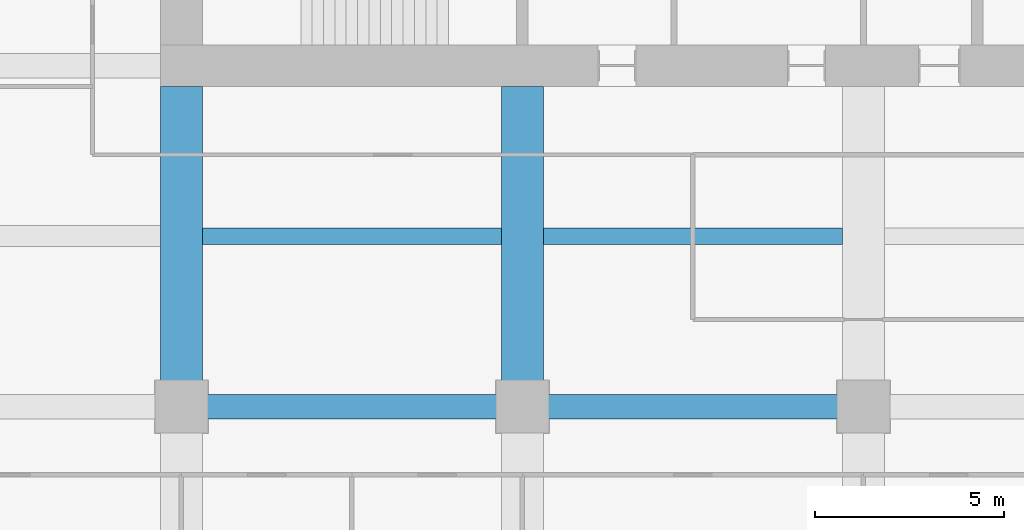
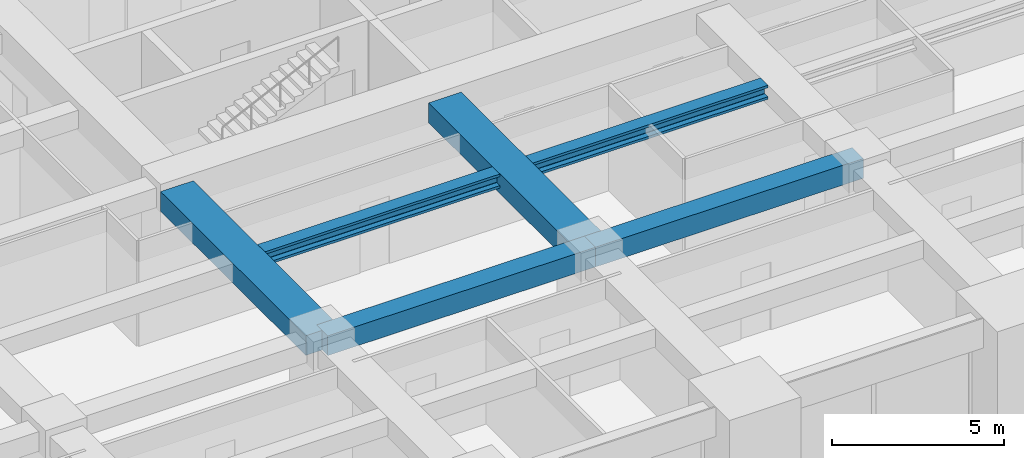
# One storey, part 8 of 34: 6 beams.
"""IFC4 building model written with IfcOpenShell, lengths in metres."""

from ifc_helpers import new_model, si_unit, direction, frame, origin, origin_2d, place, context, subcontext, project, spatial, rectangle, i_section, extrude, material, material_profile, profile_set, type_object, element, save


model = new_model("IFC4")

# Units and contexts
model_context = context("Model", 3, precision=1e-05, world=origin(), true_north=direction((0.0, 1.0)))
body_context = subcontext(model_context, "Body", "Model", "MODEL_VIEW")
ifc_project = project(units=[si_unit("LENGTHUNIT", "METRE"), si_unit("AREAUNIT", "SQUARE_METRE"), si_unit("VOLUMEUNIT", "CUBIC_METRE"), si_unit("PLANEANGLEUNIT", "RADIAN"), si_unit("MASSUNIT", "GRAM", prefix="KILO")], contexts=[model_context])

# Site, building, storey
site_placement = place(None, origin())
site = spatial("IfcSite", under=ifc_project, at=site_placement, CompositionType="ELEMENT")
building_placement = place(site_placement, origin())
building = spatial("IfcBuilding", under=site, at=building_placement, Name="Zorevar Civic Tower", CompositionType="ELEMENT")
storey_placement = place(building_placement, frame((0.0, 0.0, 214.199951171875)))
storey = spatial("IfcBuildingStorey", under=building, at=storey_placement, Name="L52", CompositionType="ELEMENT", Elevation=214.199951171875)

# Beams
ifc_material_1 = material(Name="Concrete C50/60", Category="concrete")
ifc_material_profile_1 = material_profile(ifc_material_1, rectangle(XDim=1.10009765625, YDim=0.699951171875, at=origin_2d()), Name="RC 1100x700")
ifc_profile_set_1 = profile_set([ifc_material_profile_1], Name="Concrete C50/60")
beam_type_1 = type_object("IfcBeamType", Name="Beam RC 1100x700", PredefinedType="BEAM", material=ifc_profile_set_1)
for number, where, z_axis, x_axis, name in (
    (1, (18.0, 9.0, 3.400146484375), (0.0, 1.0, 0.0), (-1.0, 0.0, 0.0), "Girder L53"),
    (2, (27.0, 9.0, 3.400146484375), (0.0, 1.0, 0.0), (-1.0, 0.0, 0.0), "Girder L53"),
):
    element("IfcBeam", number, at=place(storey_placement, frame(where, z_axis=z_axis, x_axis=x_axis)), inside=storey, type_object=beam_type_1, Name=name, PredefinedType="BEAM", context=body_context, shape_type="SweptSolid", body=[
        extrude(rectangle(XDim=1.10009765625, YDim=0.699951171875, at=origin_2d()), origin(), (0.0, 0.0, 1.0), 8.449951171875),
    ])
ifc_material_2 = material(Name="Concrete C50/60", Category="concrete")
ifc_material_profile_2 = material_profile(ifc_material_2, rectangle(XDim=0.64990234375, YDim=0.699951171875, at=origin_2d()), Name="RC 650x700")
ifc_profile_set_2 = profile_set([ifc_material_profile_2], Name="Concrete C50/60")
beam_type_2 = type_object("IfcBeamType", Name="Beam RC 650x700", PredefinedType="BEAM", material=ifc_profile_set_2)
for number, where, z_axis, x_axis, name in (
    (3, (18.0, 9.0, 3.400146484375), (1.0, 0.0, 0.0), (0.0, 1.0, 0.0), "Girder L53"),
    (4, (27.0, 9.0, 3.400146484375), (1.0, 0.0, 0.0), (0.0, 1.0, 0.0), "Girder L53"),
):
    element("IfcBeam", number, at=place(storey_placement, frame(where, z_axis=z_axis, x_axis=x_axis)), inside=storey, type_object=beam_type_2, Name=name, PredefinedType="BEAM", context=body_context, shape_type="SweptSolid", body=[
        extrude(rectangle(XDim=0.64990234375, YDim=0.699951171875, at=origin_2d()), origin(), (0.0, 0.0, 1.0), 9.0),
    ])
ifc_material_3 = material(Name="Steel S460M (HISTAR 460)", Category="steel")
ifc_material_profile_3 = material_profile(ifc_material_3, i_section(OverallWidth=0.431884765625, OverallDepth=0.498046875, WebThickness=0.0556640625, FlangeThickness=0.0888671875, FilletRadius=0.014892578125, at=origin_2d()), Name="HD 400x744")
ifc_profile_set_3 = profile_set([ifc_material_profile_3], Name="Steel S460M (HISTAR 460)")
beam_type_3 = type_object("IfcBeamType", Name="Core bay beam HD 400x744", PredefinedType="BEAM", material=ifc_profile_set_3)
for number, where, z_axis, x_axis, name in (
    (5, (18.550048828125, 13.5, 3.5009765625), (1.0, 0.0, 0.0), (0.0, 1.0, 0.0), "Secondary beam L53"),
    (6, (27.550048828125, 13.5, 3.5009765625), (1.0, 0.0, 0.0), (0.0, 1.0, 0.0), "Secondary beam L53"),
):
    element("IfcBeam", number, at=place(storey_placement, frame(where, z_axis=z_axis, x_axis=x_axis)), inside=storey, type_object=beam_type_3, Name=name, PredefinedType="BEAM", context=body_context, shape_type="SweptSolid", body=[
        extrude(i_section(OverallWidth=0.431884765625, OverallDepth=0.498046875, WebThickness=0.0556640625, FlangeThickness=0.0888671875, FilletRadius=0.014892578125, at=origin_2d()), origin(), (0.0, 0.0, 1.0), 7.89990234375),
    ])

save(model, "model.ifc")
